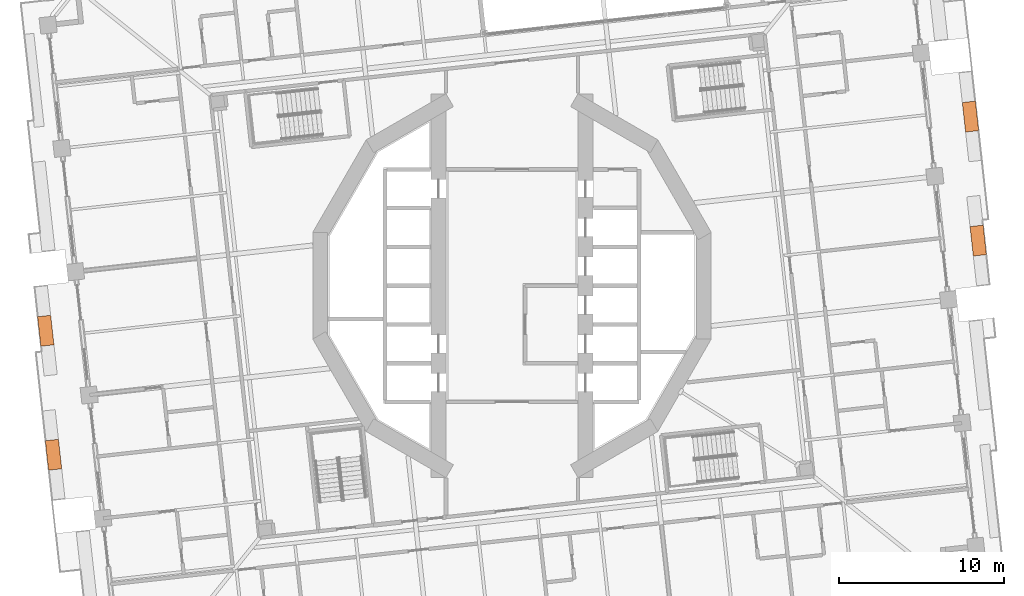
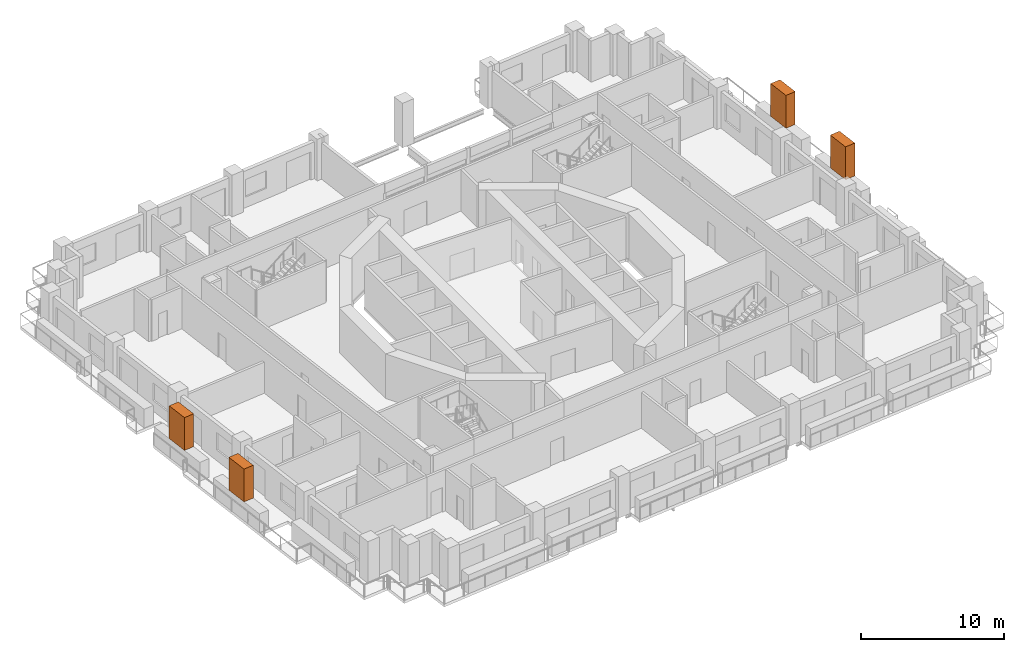
# One storey, part 20 of 20: 4 proxies.
"""IFC4 building model written with IfcOpenShell, lengths in metres."""

from ifc_helpers import new_model, si_unit, direction, frame, origin, origin_2d, place, context, subcontext, project, spatial, rectangle, extrude, element, save


model = new_model("IFC4")

# Units and contexts
model_context = context("Model", 3, precision=1e-05, world=origin(), true_north=direction((0.0, 1.0)))
body_context = subcontext(model_context, "Body", "Model", "MODEL_VIEW")
ifc_project = project(units=[si_unit("LENGTHUNIT", "METRE"), si_unit("AREAUNIT", "SQUARE_METRE"), si_unit("VOLUMEUNIT", "CUBIC_METRE"), si_unit("PLANEANGLEUNIT", "RADIAN"), si_unit("MASSUNIT", "GRAM", prefix="KILO")], contexts=[model_context])

# Site, building, storey
site_placement = place(None, origin())
site = spatial("IfcSite", under=ifc_project, at=site_placement, CompositionType="ELEMENT")
building_placement = place(site_placement, origin())
building = spatial("IfcBuilding", under=site, at=building_placement, Name="Cantera Rosa Tower", CompositionType="ELEMENT")
storey_placement = place(building_placement, frame((0.0, 0.0, 50.10009765625)))
storey = spatial("IfcBuildingStorey", under=building, at=storey_placement, Name="L09", CompositionType="ELEMENT", Elevation=50.10009765625)

# Proxies
for number, where, z_axis, x_axis, name in (
    (1, (28.25830078125, 2.73388671875, 1.60009765625), (0.0, 0.0, 1.0), (-0.110312555526, 0.993896946415, 0.0), "TREE L09-03"),
    (2, (27.78857421875, 10.248046875, 1.60009765625), (0.0, 0.0, 1.0), (-0.110312555526, 0.993896946415, 0.0), "TREE L09-04"),
    (3, (-28.25830078125, -2.73388671875, 1.60009765625), (0.0, 0.0, 1.0), (0.110312555526, -0.993896946415, 0.0), "TREE L09-14"),
    (4, (-27.78857421875, -10.248046875, 1.60009765625), (0.0, 0.0, 1.0), (0.110312555526, -0.993896946415, 0.0), "TREE L09-15"),
):
    element("IfcBuildingElementProxy", number, at=place(storey_placement, frame(where, z_axis=z_axis, x_axis=x_axis)), inside=storey, Name=name, ObjectType="TREE", PredefinedType="USERDEFINED", context=body_context, shape_type="SweptSolid", body=[
        extrude(rectangle(XDim=1.800048828125, YDim=0.800048828125, at=origin_2d()), origin(), (0.0, 0.0, 1.0), 2.800048828125),
    ])

save(model, "model.ifc")
